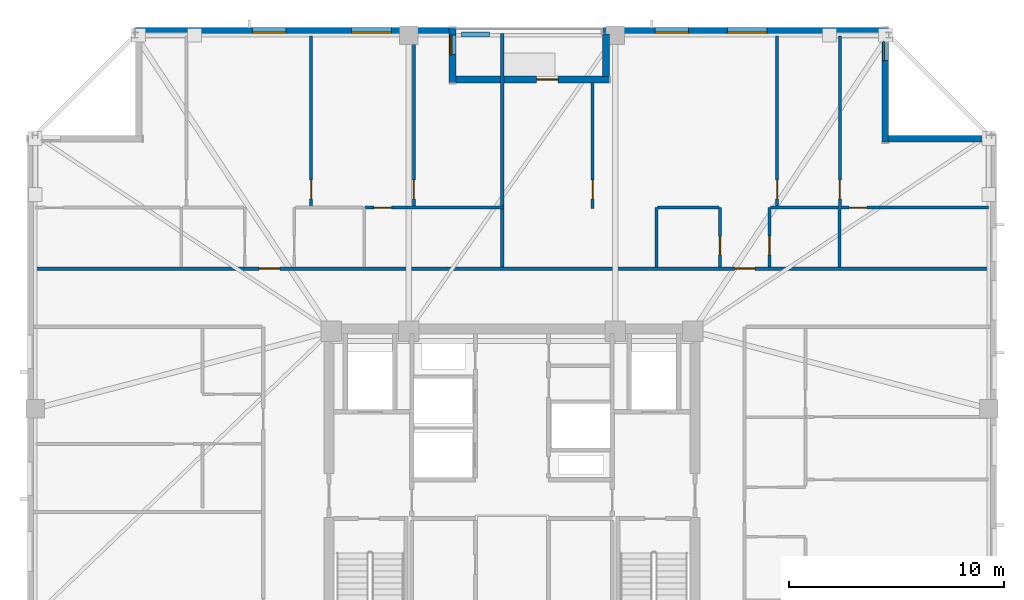
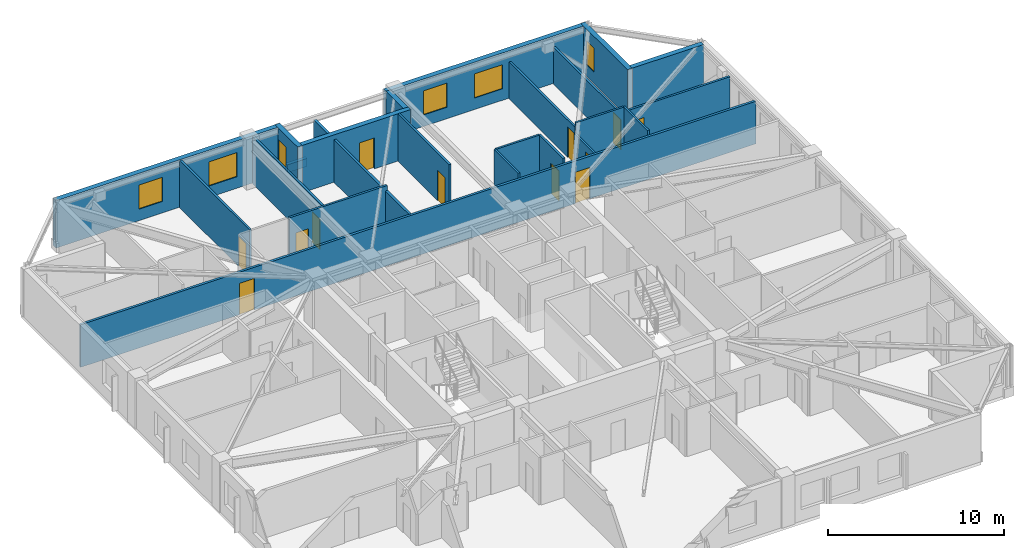
# One storey, part 11 of 17: 23 walls, 12 doors, 6 windows, 18 openings.
"""IFC4 building model written with IfcOpenShell, lengths in metres."""

from ifc_helpers import new_model, si_unit, direction, frame, frame_2d, origin, place, context, subcontext, project, spatial, rectangle, extrude, material, layer, layer_set, type_object, element, fill, save


model = new_model("IFC4")

# Units and contexts
model_context = context("Model", 3, precision=1e-05, world=origin(), true_north=direction((0.0, 1.0)))
body_context = subcontext(model_context, "Body", "Model", "MODEL_VIEW")
ifc_project = project(units=[si_unit("LENGTHUNIT", "METRE"), si_unit("AREAUNIT", "SQUARE_METRE"), si_unit("VOLUMEUNIT", "CUBIC_METRE"), si_unit("PLANEANGLEUNIT", "RADIAN"), si_unit("MASSUNIT", "GRAM", prefix="KILO")], contexts=[model_context])

# Site, building, storey
site_placement = place(None, origin())
site = spatial("IfcSite", under=ifc_project, at=site_placement, CompositionType="ELEMENT")
building_placement = place(site_placement, origin())
building = spatial("IfcBuilding", under=site, at=building_placement, Name="Cairnveth Concourse Tower", CompositionType="ELEMENT")
storey_placement = place(building_placement, frame((0.0, 0.0, 213.0)))
storey = spatial("IfcBuildingStorey", under=building, at=storey_placement, Name="L58", CompositionType="ELEMENT", Elevation=213.0)

# Wall, openings, doors
ifc_material_1 = material(Name="Gypsum Plasterboard Partition", Category="gypsum")
ifc_layer_1 = layer(ifc_material_1, 0.159912109375)
ifc_layer_set_1 = layer_set([ifc_layer_1], Name="Gypsum Plasterboard Partition")
wall_type_1 = type_object("IfcWallType", Name="ACOUSTIC PARTY WALL 180", PredefinedType="PARTITIONING", material=ifc_layer_set_1)
wall_1_placement = place(storey_placement, frame((29.804931640625, 50.31005859375, 0.0), z_axis=(0.0, 0.0, 1.0), x_axis=(1.0, 0.0, 0.0)))
wall_1 = element("IfcWall", 1, at=wall_1_placement, inside=storey, type_object=wall_type_1, Name="Interior Wall IW-L58-036", PredefinedType="PARTITIONING", context=body_context, shape_type="SweptSolid", body=[
    extrude(rectangle(XDim=44.39013671875, YDim=0.159912109375, at=frame_2d((22.195068359375, 0.0))), origin(), (0.0, 0.0, 1.0), 2.9580078125),
])
opening_1_placement = place(wall_1_placement, frame((10.447509765625, 0.0, 0.0)))
opening_1 = element("IfcOpeningElement", 2, at=opening_1_placement, cuts=wall_1, Name="Opening ID10", PredefinedType="OPENING", context=body_context, shape_type="SweptSolid", body=[
    extrude(rectangle(XDim=0.9599609375, YDim=2.179931640625, at=frame_2d((0.47998046875, 1.08984375))), frame((0.0, 0.08984375, 0.0), z_axis=(0.0, -1.0, 0.0), x_axis=(1.0, 0.0, 0.0)), (0.0, 0.0, 1.0), 0.179931640625),
])
opening_2_placement = place(wall_1_placement, frame((32.527587890625, 0.0, 0.0)))
opening_2 = element("IfcOpeningElement", 3, at=opening_2_placement, cuts=wall_1, Name="Opening ID10", PredefinedType="OPENING", context=body_context, shape_type="SweptSolid", body=[
    extrude(rectangle(XDim=0.9599609375, YDim=2.179931640625, at=frame_2d((0.47998046875, 1.08984375))), frame((0.0, 0.08984375, 0.0), z_axis=(0.0, -1.0, 0.0), x_axis=(1.0, 0.0, 0.0)), (0.0, 0.0, 1.0), 0.179931640625),
])
ifc_material_2 = material(Name="Solid Core Hardwood Timber Leaf", Category="wood")
door_type_1 = type_object("IfcDoorType", Name="FLAT ENTRANCE DOOR 960X2150", OperationType="NOTDEFINED", PredefinedType="DOOR", material=ifc_material_2)
door_1_placement = place(opening_1_placement, origin())
door_1 = element("IfcDoor", 4, at=door_1_placement, inside=storey, type_object=door_type_1, Name="Apartment L58N1 Entrance Door", OperationType="SINGLE_SWING_RIGHT", OverallHeight=2.179931640625, OverallWidth=0.9599609375, PredefinedType="DOOR", context=body_context, shape_type="SweptSolid", body=[
    extrude(rectangle(XDim=0.9599609375, YDim=2.179931640625, at=frame_2d((0.47998046875, 1.08984375))), frame((0.0, 0.02490234375, 0.0), z_axis=(0.0, -1.0, 0.0), x_axis=(1.0, 0.0, 0.0)), (0.0, 0.0, 1.0), 0.050048828125),
])
fill(opening_1, door_1)
door_2_placement = place(opening_2_placement, origin())
door_2 = element("IfcDoor", 5, at=door_2_placement, inside=storey, type_object=door_type_1, Name="Apartment L58N2 Entrance Door", OperationType="SINGLE_SWING_LEFT", OverallHeight=2.179931640625, OverallWidth=0.9599609375, PredefinedType="DOOR", context=body_context, shape_type="SweptSolid", body=[
    extrude(rectangle(XDim=0.9599609375, YDim=2.179931640625, at=frame_2d((0.47998046875, 1.08984375))), frame((0.0, 0.02490234375, 0.0), z_axis=(0.0, -1.0, 0.0), x_axis=(1.0, 0.0, 0.0)), (0.0, 0.0, 1.0), 0.050048828125),
])
fill(opening_2, door_2)

# Wall
wall_2_placement = place(storey_placement, frame((51.544921875, 50.375, 0.0), z_axis=(0.0, 0.0, 1.0), x_axis=(0.0, 1.0, 0.0)))
element("IfcWall", 6, at=wall_2_placement, inside=storey, type_object=wall_type_1, Name="Interior Wall IW-L58-078", PredefinedType="PARTITIONING", context=body_context, shape_type="SweptSolid", body=[
    extrude(rectangle(XDim=10.85498046875, YDim=0.159912109375, at=frame_2d((5.427490234375, 0.0))), origin(), (0.0, 0.0, 1.0), 2.9580078125),
])

# Wall, opening, door
ifc_layer_2 = layer(ifc_material_1, 0.139892578125)
ifc_layer_set_2 = layer_set([ifc_layer_2], Name="Gypsum Plasterboard Partition")
wall_type_2 = type_object("IfcWallType", Name="GYPSUM STUD PARTITION 140", PredefinedType="PARTITIONING", material=ifc_layer_set_2)
wall_3_placement = place(storey_placement, frame((47.445068359375, 53.10009765625, 0.0), z_axis=(0.0, 0.0, 1.0), x_axis=(0.0, 1.0, 0.0)))
wall_3 = element("IfcWall", 7, at=wall_3_placement, inside=storey, type_object=wall_type_2, Name="Interior Wall IW-L58-075", PredefinedType="PARTITIONING", context=body_context, shape_type="SweptSolid", body=[
    extrude(rectangle(XDim=8.02001953125, YDim=0.139892578125, at=frame_2d((4.010009765625, 0.0))), origin(), (0.0, 0.0, 1.0), 3.2900390625),
])
opening_3_placement = place(wall_3_placement, frame((0.449951171875, 0.0, 0.0)))
opening_3 = element("IfcOpeningElement", 8, at=opening_3_placement, cuts=wall_3, Name="Opening ID18", PredefinedType="OPENING", context=body_context, shape_type="SweptSolid", body=[
    extrude(rectangle(XDim=0.8798828125, YDim=2.10009765625, at=frame_2d((0.43994140625, 1.050048828125))), frame((0.0, 0.079833984375, 0.0), z_axis=(0.0, -1.0, 0.0), x_axis=(1.0, 0.0, 0.0)), (0.0, 0.0, 1.0), 0.159912109375),
])
door_type_2 = type_object("IfcDoorType", Name="INTERIOR SINGLE DOOR 880X2100", OperationType="NOTDEFINED", PredefinedType="DOOR", material=ifc_material_2)
door_3_placement = place(opening_3_placement, origin())
door_3 = element("IfcDoor", 9, at=door_3_placement, inside=storey, type_object=door_type_2, Name="L58N1 Bedroom 2 Door", OperationType="SINGLE_SWING_RIGHT", OverallHeight=2.10009765625, OverallWidth=0.8798828125, PredefinedType="DOOR", context=body_context, shape_type="SweptSolid", body=[
    extrude(rectangle(XDim=0.8798828125, YDim=2.10009765625, at=frame_2d((0.43994140625, 1.050048828125))), frame((0.0, 0.02490234375, 0.0), z_axis=(0.0, -1.0, 0.0), x_axis=(1.0, 0.0, 0.0)), (0.0, 0.0, 1.0), 0.050048828125),
])
fill(opening_3, door_3)

wall_4_placement = place(storey_placement, frame((45.1826171875, 53.139892578125, 0.0), z_axis=(0.0, 0.0, 1.0), x_axis=(1.0, 0.0, 0.0)))
wall_4 = element("IfcWall", 10, at=wall_4_placement, inside=storey, type_object=wall_type_2, Name="Interior Wall IW-L58-076", PredefinedType="PARTITIONING", context=body_context, shape_type="SweptSolid", body=[
    extrude(rectangle(XDim=6.412353515625, YDim=0.139892578125, at=frame_2d((3.2060546875, 0.0))), origin(), (0.0, 0.0, 1.0), 3.2900390625),
])
opening_4_placement = place(wall_4_placement, frame((0.39990234375, 0.0, 0.0)))
opening_4 = element("IfcOpeningElement", 11, at=opening_4_placement, cuts=wall_4, Name="Opening ID22", PredefinedType="OPENING", context=body_context, shape_type="SweptSolid", body=[
    extrude(rectangle(XDim=0.820068359375, YDim=2.10009765625, at=frame_2d((0.41015625, 1.050048828125))), frame((0.0, 0.079833984375, 0.0), z_axis=(0.0, -1.0, 0.0), x_axis=(1.0, 0.0, 0.0)), (0.0, 0.0, 1.0), 0.159912109375),
])
door_type_3 = type_object("IfcDoorType", Name="INTERIOR WC DOOR 820X2100", OperationType="NOTDEFINED", PredefinedType="DOOR", material=ifc_material_2)
door_4_placement = place(opening_4_placement, origin())
door_4 = element("IfcDoor", 12, at=door_4_placement, inside=storey, type_object=door_type_3, Name="L58N1 Utility Door", OperationType="SINGLE_SWING_LEFT", OverallHeight=2.10009765625, OverallWidth=0.820068359375, PredefinedType="DOOR", context=body_context, shape_type="SweptSolid", body=[
    extrude(rectangle(XDim=0.820068359375, YDim=2.10009765625, at=frame_2d((0.41015625, 1.050048828125))), frame((0.0, 0.02490234375, 0.0), z_axis=(0.0, -1.0, 0.0), x_axis=(1.0, 0.0, 0.0)), (0.0, 0.0, 1.0), 0.050048828125),
])
fill(opening_4, door_4)

wall_5_placement = place(storey_placement, frame((42.669921875, 53.18994140625, 0.0), z_axis=(0.0, 0.0, 1.0), x_axis=(0.0, 1.0, 0.0)))
wall_5 = element("IfcWall", 13, at=wall_5_placement, inside=storey, type_object=wall_type_2, Name="Interior Wall IW-L58-077", PredefinedType="PARTITIONING", context=body_context, shape_type="SweptSolid", body=[
    extrude(rectangle(XDim=7.93017578125, YDim=0.139892578125, at=frame_2d((3.965087890625, 0.0))), origin(), (0.0, 0.0, 1.0), 3.2900390625),
])
opening_5_placement = place(wall_5_placement, frame((0.360107421875, 0.0, 0.0)))
opening_5 = element("IfcOpeningElement", 14, at=opening_5_placement, cuts=wall_5, Name="Opening ID18", PredefinedType="OPENING", context=body_context, shape_type="SweptSolid", body=[
    extrude(rectangle(XDim=0.8798828125, YDim=2.10009765625, at=frame_2d((0.43994140625, 1.050048828125))), frame((0.0, 0.079833984375, 0.0), z_axis=(0.0, -1.0, 0.0), x_axis=(1.0, 0.0, 0.0)), (0.0, 0.0, 1.0), 0.159912109375),
])
door_5_placement = place(opening_5_placement, origin())
door_5 = element("IfcDoor", 15, at=door_5_placement, inside=storey, type_object=door_type_2, Name="L58N1 Media Lounge Door", OperationType="SINGLE_SWING_LEFT", OverallHeight=2.10009765625, OverallWidth=0.8798828125, PredefinedType="DOOR", context=body_context, shape_type="SweptSolid", body=[
    extrude(rectangle(XDim=0.8798828125, YDim=2.10009765625, at=frame_2d((0.43994140625, 1.050048828125))), frame((0.0, 0.02490234375, 0.0), z_axis=(0.0, -1.0, 0.0), x_axis=(1.0, 0.0, 0.0)), (0.0, 0.0, 1.0), 0.050048828125),
])
fill(opening_5, door_5)

wall_6_placement = place(storey_placement, frame((55.7451171875, 53.10009765625, 0.0), z_axis=(0.0, 0.0, 1.0), x_axis=(0.0, 1.0, 0.0)))
wall_6 = element("IfcWall", 16, at=wall_6_placement, inside=storey, type_object=wall_type_2, Name="Interior Wall IW-L58-085", PredefinedType="PARTITIONING", context=body_context, shape_type="SweptSolid", body=[
    extrude(rectangle(XDim=5.844970703125, YDim=0.139892578125, at=frame_2d((2.92236328125, 0.0))), origin(), (0.0, 0.0, 1.0), 3.2900390625),
])
opening_6_placement = place(wall_6_placement, frame((0.449951171875, 0.0, 0.0)))
opening_6 = element("IfcOpeningElement", 17, at=opening_6_placement, cuts=wall_6, Name="Opening ID18", PredefinedType="OPENING", context=body_context, shape_type="SweptSolid", body=[
    extrude(rectangle(XDim=0.8798828125, YDim=2.10009765625, at=frame_2d((0.43994140625, 1.050048828125))), frame((0.0, 0.079833984375, 0.0), z_axis=(0.0, -1.0, 0.0), x_axis=(1.0, 0.0, 0.0)), (0.0, 0.0, 1.0), 0.159912109375),
])
door_6_placement = place(opening_6_placement, origin())
door_6 = element("IfcDoor", 18, at=door_6_placement, inside=storey, type_object=door_type_2, Name="L58N2 Master Bedroom Door", OperationType="SINGLE_SWING_LEFT", OverallHeight=2.10009765625, OverallWidth=0.8798828125, PredefinedType="DOOR", context=body_context, shape_type="SweptSolid", body=[
    extrude(rectangle(XDim=0.8798828125, YDim=2.10009765625, at=frame_2d((0.43994140625, 1.050048828125))), frame((0.0, 0.02490234375, 0.0), z_axis=(0.0, -1.0, 0.0), x_axis=(1.0, 0.0, 0.0)), (0.0, 0.0, 1.0), 0.050048828125),
])
fill(opening_6, door_6)

wall_7_placement = place(storey_placement, frame((67.22998046875, 53.18994140625, 0.0), z_axis=(0.0, 0.0, 1.0), x_axis=(0.0, 1.0, 0.0)))
wall_7 = element("IfcWall", 19, at=wall_7_placement, inside=storey, type_object=wall_type_2, Name="Interior Wall IW-L58-086", PredefinedType="PARTITIONING", context=body_context, shape_type="SweptSolid", body=[
    extrude(rectangle(XDim=7.93017578125, YDim=0.139892578125, at=frame_2d((3.965087890625, 0.0))), origin(), (0.0, 0.0, 1.0), 2.572998046875),
])
opening_7_placement = place(wall_7_placement, frame((0.360107421875, 0.0, 0.0)))
opening_7 = element("IfcOpeningElement", 20, at=opening_7_placement, cuts=wall_7, Name="Opening ID18", PredefinedType="OPENING", context=body_context, shape_type="SweptSolid", body=[
    extrude(rectangle(XDim=0.8798828125, YDim=2.10009765625, at=frame_2d((0.43994140625, 1.050048828125))), frame((0.0, 0.079833984375, 0.0), z_axis=(0.0, -1.0, 0.0), x_axis=(1.0, 0.0, 0.0)), (0.0, 0.0, 1.0), 0.159912109375),
])
door_7_placement = place(opening_7_placement, origin())
door_7 = element("IfcDoor", 21, at=door_7_placement, inside=storey, type_object=door_type_2, Name="L58N2 Bedroom 2 Door", OperationType="SINGLE_SWING_LEFT", OverallHeight=2.10009765625, OverallWidth=0.8798828125, PredefinedType="DOOR", context=body_context, shape_type="SweptSolid", body=[
    extrude(rectangle(XDim=0.8798828125, YDim=2.10009765625, at=frame_2d((0.43994140625, 1.050048828125))), frame((0.0, 0.02490234375, 0.0), z_axis=(0.0, -1.0, 0.0), x_axis=(1.0, 0.0, 0.0)), (0.0, 0.0, 1.0), 0.050048828125),
])
fill(opening_7, door_7)

wall_8_placement = place(storey_placement, frame((67.284912109375, 53.139892578125, 0.0), z_axis=(0.0, 0.0, 1.0), x_axis=(1.0, 0.0, 0.0)))
wall_8 = element("IfcWall", 22, at=wall_8_placement, inside=storey, type_object=wall_type_2, Name="Interior Wall IW-L58-087", PredefinedType="PARTITIONING", context=body_context, shape_type="SweptSolid", body=[
    extrude(rectangle(XDim=6.844970703125, YDim=0.139892578125, at=frame_2d((3.42236328125, 0.0))), origin(), (0.0, 0.0, 1.0), 2.9580078125),
])
opening_8_placement = place(wall_8_placement, frame((0.37744140625, 0.0, 0.0)))
opening_8 = element("IfcOpeningElement", 23, at=opening_8_placement, cuts=wall_8, Name="Opening ID22", PredefinedType="OPENING", context=body_context, shape_type="SweptSolid", body=[
    extrude(rectangle(XDim=0.820068359375, YDim=2.10009765625, at=frame_2d((0.41015625, 1.050048828125))), frame((0.0, 0.079833984375, 0.0), z_axis=(0.0, -1.0, 0.0), x_axis=(1.0, 0.0, 0.0)), (0.0, 0.0, 1.0), 0.159912109375),
])
door_8_placement = place(opening_8_placement, origin())
door_8 = element("IfcDoor", 24, at=door_8_placement, inside=storey, type_object=door_type_3, Name="L58N2 Utility Door", OperationType="SINGLE_SWING_RIGHT", OverallHeight=2.10009765625, OverallWidth=0.820068359375, PredefinedType="DOOR", context=body_context, shape_type="SweptSolid", body=[
    extrude(rectangle(XDim=0.820068359375, YDim=2.10009765625, at=frame_2d((0.41015625, 1.050048828125))), frame((0.0, 0.02490234375, 0.0), z_axis=(0.0, -1.0, 0.0), x_axis=(1.0, 0.0, 0.0)), (0.0, 0.0, 1.0), 0.050048828125),
])
fill(opening_8, door_8)

wall_9_placement = place(storey_placement, frame((64.3125, 53.18994140625, 0.0), z_axis=(0.0, 0.0, 1.0), x_axis=(0.0, 1.0, 0.0)))
wall_9 = element("IfcWall", 25, at=wall_9_placement, inside=storey, type_object=wall_type_2, Name="Interior Wall IW-L58-088", PredefinedType="PARTITIONING", context=body_context, shape_type="SweptSolid", body=[
    extrude(rectangle(XDim=7.93017578125, YDim=0.139892578125, at=frame_2d((3.965087890625, 0.0))), origin(), (0.0, 0.0, 1.0), 2.572998046875),
])
opening_9_placement = place(wall_9_placement, frame((0.360107421875, 0.0, 0.0)))
opening_9 = element("IfcOpeningElement", 26, at=opening_9_placement, cuts=wall_9, Name="Opening ID18", PredefinedType="OPENING", context=body_context, shape_type="SweptSolid", body=[
    extrude(rectangle(XDim=0.8798828125, YDim=2.10009765625, at=frame_2d((0.43994140625, 1.050048828125))), frame((0.0, 0.079833984375, 0.0), z_axis=(0.0, -1.0, 0.0), x_axis=(1.0, 0.0, 0.0)), (0.0, 0.0, 1.0), 0.159912109375),
])
door_9_placement = place(opening_9_placement, origin())
door_9 = element("IfcDoor", 27, at=door_9_placement, inside=storey, type_object=door_type_2, Name="L58N2 Media Lounge Door", OperationType="SINGLE_SWING_RIGHT", OverallHeight=2.10009765625, OverallWidth=0.8798828125, PredefinedType="DOOR", context=body_context, shape_type="SweptSolid", body=[
    extrude(rectangle(XDim=0.8798828125, YDim=2.10009765625, at=frame_2d((0.43994140625, 1.050048828125))), frame((0.0, 0.02490234375, 0.0), z_axis=(0.0, -1.0, 0.0), x_axis=(1.0, 0.0, 0.0)), (0.0, 0.0, 1.0), 0.050048828125),
])
fill(opening_9, door_9)

# Walls
ifc_material_3 = material(Name="Dressed Melbourne Bluestone Cladding", Category="masonry")
ifc_layer_3 = layer(ifc_material_3, 0.219970703125)
ifc_layer_set_3 = layer_set([ifc_layer_3], Name="Dressed Melbourne Bluestone Cladding")
wall_type_3 = type_object("IfcWallType", Name="TERRACE PLANTER CURB WALL 220", PredefinedType="PARAPET", material=ifc_layer_set_3)
wall_10_placement = place(storey_placement, frame((49.64990234375, 61.179931640625, 0.0), z_axis=(0.0, 0.0, 1.0), x_axis=(1.0, 0.0, 0.0)))
element("IfcWall", 28, at=wall_10_placement, inside=storey, type_object=wall_type_3, Name="Exterior Wall PLNT-L58-TERR", PredefinedType="PARAPET", context=body_context, shape_type="SweptSolid", body=[
    extrude(rectangle(XDim=1.300048828125, YDim=0.219970703125, at=frame_2d((0.64990234375, 0.0))), origin(), (0.0, 0.0, 1.0), 0.550048828125),
])
ifc_layer_4 = layer(ifc_material_1, 0.1298828125)
ifc_layer_set_4 = layer_set([ifc_layer_4], Name="Gypsum Plasterboard Partition")
wall_type_4 = type_object("IfcWallType", Name="WET AREA PARTITION 140", PredefinedType="PLUMBINGWALL", material=ifc_layer_set_4)
wall_11_placement = place(storey_placement, frame((58.71240234375, 50.389892578125, 0.0), z_axis=(0.0, 0.0, 1.0), x_axis=(0.0, 1.0, 0.0)))
element("IfcWall", 29, at=wall_11_placement, inside=storey, type_object=wall_type_4, Name="Interior Wall IW-L58-079", PredefinedType="PLUMBINGWALL", context=body_context, shape_type="SweptSolid", body=[
    extrude(rectangle(XDim=2.75, YDim=0.1298828125, at=frame_2d((1.375, 0.0))), origin(), (0.0, 0.0, 1.0), 3.2900390625),
])

# Wall, opening, door
wall_12_placement = place(storey_placement, frame((61.66259765625, 50.389892578125, 0.0), z_axis=(0.0, 0.0, 1.0), x_axis=(0.0, 1.0, 0.0)))
wall_12 = element("IfcWall", 30, at=wall_12_placement, inside=storey, type_object=wall_type_4, Name="Interior Wall IW-L58-080", PredefinedType="PLUMBINGWALL", context=body_context, shape_type="SweptSolid", body=[
    extrude(rectangle(XDim=2.75, YDim=0.1298828125, at=frame_2d((1.375, 0.0))), origin(), (0.0, 0.0, 1.0), 3.2900390625),
])
opening_10_placement = place(wall_12_placement, frame((0.550048828125, 0.0, 0.0)))
opening_10 = element("IfcOpeningElement", 31, at=opening_10_placement, cuts=wall_12, Name="Opening ID21", PredefinedType="OPENING", context=body_context, shape_type="SweptSolid", body=[
    extrude(rectangle(XDim=0.85009765625, YDim=2.080078125, at=frame_2d((0.425048828125, 1.0400390625))), frame((0.0, 0.074951171875, 0.0), z_axis=(0.0, -1.0, 0.0), x_axis=(1.0, 0.0, 0.0)), (0.0, 0.0, 1.0), 0.14990234375),
])
door_type_4 = type_object("IfcDoorType", Name="INTERIOR WC DOOR 850X2100", OperationType="NOTDEFINED", PredefinedType="DOOR", material=ifc_material_2)
door_10_placement = place(opening_10_placement, origin())
door_10 = element("IfcDoor", 32, at=door_10_placement, inside=storey, type_object=door_type_4, Name="L58N2 Bathroom Door", OperationType="SINGLE_SWING_LEFT", OverallHeight=2.080078125, OverallWidth=0.85009765625, PredefinedType="DOOR", context=body_context, shape_type="SweptSolid", body=[
    extrude(rectangle(XDim=0.85009765625, YDim=2.080078125, at=frame_2d((0.425048828125, 1.0400390625))), frame((0.0, 0.02490234375, 0.0), z_axis=(0.0, -1.0, 0.0), x_axis=(1.0, 0.0, 0.0)), (0.0, 0.0, 1.0), 0.050048828125),
])
fill(opening_10, door_10)

# Walls
wall_13_placement = place(storey_placement, frame((58.762451171875, 53.139892578125, 0.0), z_axis=(0.0, 0.0, 1.0), x_axis=(1.0, 0.0, 0.0)))
element("IfcWall", 33, at=wall_13_placement, inside=storey, type_object=wall_type_4, Name="Interior Wall IW-L58-081", PredefinedType="PLUMBINGWALL", context=body_context, shape_type="SweptSolid", body=[
    extrude(rectangle(XDim=2.85009765625, YDim=0.1298828125, at=frame_2d((1.425048828125, 0.0))), origin(), (0.0, 0.0, 1.0), 3.2900390625),
])
wall_14_placement = place(storey_placement, frame((67.21240234375, 50.389892578125, 0.0), z_axis=(0.0, 0.0, 1.0), x_axis=(0.0, 1.0, 0.0)))
element("IfcWall", 34, at=wall_14_placement, inside=storey, type_object=wall_type_4, Name="Interior Wall IW-L58-082", PredefinedType="PLUMBINGWALL", context=body_context, shape_type="SweptSolid", body=[
    extrude(rectangle(XDim=2.75, YDim=0.1298828125, at=frame_2d((1.375, 0.0))), origin(), (0.0, 0.0, 1.0), 3.2900390625),
])

# Wall, opening, door
wall_15_placement = place(storey_placement, frame((63.96240234375, 50.389892578125, 0.0), z_axis=(0.0, 0.0, 1.0), x_axis=(0.0, 1.0, 0.0)))
wall_15 = element("IfcWall", 35, at=wall_15_placement, inside=storey, type_object=wall_type_4, Name="Interior Wall IW-L58-083", PredefinedType="PLUMBINGWALL", context=body_context, shape_type="SweptSolid", body=[
    extrude(rectangle(XDim=2.75, YDim=0.1298828125, at=frame_2d((1.375, 0.0))), origin(), (0.0, 0.0, 1.0), 2.572998046875),
])
opening_11_placement = place(wall_15_placement, frame((0.550048828125, 0.0, 0.0)))
opening_11 = element("IfcOpeningElement", 36, at=opening_11_placement, cuts=wall_15, Name="Opening ID18", PredefinedType="OPENING", context=body_context, shape_type="SweptSolid", body=[
    extrude(rectangle(XDim=0.8798828125, YDim=2.10009765625, at=frame_2d((0.43994140625, 1.050048828125))), frame((0.0, 0.074951171875, 0.0), z_axis=(0.0, -1.0, 0.0), x_axis=(1.0, 0.0, 0.0)), (0.0, 0.0, 1.0), 0.14990234375),
])
door_11_placement = place(opening_11_placement, origin())
door_11 = element("IfcDoor", 37, at=door_11_placement, inside=storey, type_object=door_type_2, Name="L58N2 Kitchen Door", OperationType="SINGLE_SWING_RIGHT", OverallHeight=2.10009765625, OverallWidth=0.8798828125, PredefinedType="DOOR", context=body_context, shape_type="SweptSolid", body=[
    extrude(rectangle(XDim=0.8798828125, YDim=2.10009765625, at=frame_2d((0.43994140625, 1.050048828125))), frame((0.0, 0.02490234375, 0.0), z_axis=(0.0, -1.0, 0.0), x_axis=(1.0, 0.0, 0.0)), (0.0, 0.0, 1.0), 0.050048828125),
])
fill(opening_11, door_11)

# Wall
wall_16_placement = place(storey_placement, frame((64.012451171875, 53.139892578125, 0.0), z_axis=(0.0, 0.0, 1.0), x_axis=(1.0, 0.0, 0.0)))
element("IfcWall", 38, at=wall_16_placement, inside=storey, type_object=wall_type_4, Name="Interior Wall IW-L58-084", PredefinedType="PLUMBINGWALL", context=body_context, shape_type="SweptSolid", body=[
    extrude(rectangle(XDim=3.150146484375, YDim=0.1298828125, at=frame_2d((1.5751953125, 0.0))), origin(), (0.0, 0.0, 1.0), 3.2900390625),
])

# Wall, openings, windows
ifc_material_4 = material(Name="Melbourne Buff Fired Clay Brick Masonry", Category="masonry")
ifc_layer_5 = layer(ifc_material_4, 0.320068359375)
ifc_layer_set_5 = layer_set([ifc_layer_5], Name="Melbourne Buff Fired Clay Brick Masonry")
wall_type_5 = type_object("IfcWallType", Name="ZONE 3 BRICK PIER SPANDREL WALL 320", PredefinedType="SOLIDWALL", material=ifc_layer_set_5)
wall_17_placement = place(storey_placement, frame((56.199951171875, 61.340087890625, 0.0), z_axis=(0.0, 0.0, 1.0), x_axis=(1.0, 0.0, 0.0)))
wall_17 = element("IfcWall", 39, at=wall_17_placement, inside=storey, type_object=wall_type_5, Name="Exterior Wall EW-L58-S00", PredefinedType="SOLIDWALL", context=body_context, shape_type="SweptSolid", body=[
    extrude(rectangle(XDim=13.001953125, YDim=0.320068359375, at=frame_2d((6.5009765625, 0.0))), origin(), (0.0, 0.0, 1.0), 3.2900390625),
])
opening_12_placement = place(wall_17_placement, frame((2.450439453125, 0.0, 0.800048828125)))
opening_12 = element("IfcOpeningElement", 40, at=opening_12_placement, cuts=wall_17, Name="Opening W07", PredefinedType="OPENING", context=body_context, shape_type="SweptSolid", body=[
    extrude(rectangle(XDim=1.550048828125, YDim=1.677978515625, at=frame_2d((0.77490234375, 0.8388671875))), frame((0.0, 0.169921875, 0.0), z_axis=(0.0, -1.0, 0.0), x_axis=(1.0, 0.0, 0.0)), (0.0, 0.0, 1.0), 0.340087890625),
])
opening_13_placement = place(wall_17_placement, frame((5.801513671875, 0.0, 0.800048828125)))
opening_13 = element("IfcOpeningElement", 41, at=opening_13_placement, cuts=wall_17, Name="Opening W08", PredefinedType="OPENING", context=body_context, shape_type="SweptSolid", body=[
    extrude(rectangle(XDim=1.85009765625, YDim=1.677978515625, at=frame_2d((0.925048828125, 0.8388671875))), frame((0.0, 0.169921875, 0.0), z_axis=(0.0, -1.0, 0.0), x_axis=(1.0, 0.0, 0.0)), (0.0, 0.0, 1.0), 0.340087890625),
])
ifc_material_5 = material(Name="Double Glazed Low-E Clear Glass", Category="glass")
window_type_1 = type_object("IfcWindowType", Name="DEEP-SET APARTMENT LIVING WINDOW 1850X1850", PartitioningType="DOUBLE_PANEL_VERTICAL", PredefinedType="WINDOW", material=ifc_material_5)
window_1_placement = place(opening_13_placement, origin())
window_1 = element("IfcWindow", 42, at=window_1_placement, inside=storey, type_object=window_type_1, Name="Gothic Lancet Window L58-0-2", OverallHeight=1.677978515625, OverallWidth=1.85009765625, PartitioningType="SINGLE_PANEL", PredefinedType="WINDOW", context=body_context, shape_type="SweptSolid", body=[
    extrude(rectangle(XDim=1.85009765625, YDim=1.677978515625, at=frame_2d((0.925048828125, 0.8388671875))), frame((0.0, -0.050048828125, 0.0), z_axis=(0.0, -1.0, 0.0), x_axis=(1.0, 0.0, 0.0)), (0.0, 0.0, 1.0), 0.06005859375),
])
fill(opening_13, window_1)
window_type_2 = type_object("IfcWindowType", Name="DEEP-SET APARTMENT WINDOW 1550X1800", PartitioningType="DOUBLE_PANEL_VERTICAL", PredefinedType="WINDOW", material=ifc_material_5)
window_2_placement = place(opening_12_placement, origin())
window_2 = element("IfcWindow", 43, at=window_2_placement, inside=storey, type_object=window_type_2, Name="Gothic Lancet Window L58-0-1", OverallHeight=1.677978515625, OverallWidth=1.550048828125, PartitioningType="SINGLE_PANEL", PredefinedType="WINDOW", context=body_context, shape_type="SweptSolid", body=[
    extrude(rectangle(XDim=1.550048828125, YDim=1.677978515625, at=frame_2d((0.77490234375, 0.8388671875))), frame((0.0, -0.050048828125, 0.0), z_axis=(0.0, -1.0, 0.0), x_axis=(1.0, 0.0, 0.0)), (0.0, 0.0, 1.0), 0.06005859375),
])
fill(opening_12, window_2)

# Wall, opening, window
wall_18_placement = place(storey_placement, frame((69.340087890625, 61.5, 0.0), z_axis=(0.0, 0.0, 1.0), x_axis=(0.0, -1.0, 0.0)))
wall_18 = element("IfcWall", 44, at=wall_18_placement, inside=storey, type_object=wall_type_5, Name="Exterior Wall EW-L58-S01", PredefinedType="SOLIDWALL", context=body_context, shape_type="SweptSolid", body=[
    extrude(rectangle(XDim=5.320068359375, YDim=0.320068359375, at=frame_2d((2.66015625, 0.0))), origin(), (0.0, 0.0, 1.0), 3.2900390625),
])
opening_14_placement = place(wall_18_placement, frame((0.6298828125, 0.0, 0.800048828125)))
opening_14 = element("IfcOpeningElement", 45, at=opening_14_placement, cuts=wall_18, Name="Opening W13", PredefinedType="OPENING", context=body_context, shape_type="SweptSolid", body=[
    extrude(rectangle(XDim=0.89990234375, YDim=1.677978515625, at=frame_2d((0.449951171875, 0.8388671875))), frame((0.0, 0.169921875, 0.0), z_axis=(0.0, -1.0, 0.0), x_axis=(1.0, 0.0, 0.0)), (0.0, 0.0, 1.0), 0.340087890625),
])
window_type_3 = type_object("IfcWindowType", Name="DEEP-SET BEDROOM LANCET WINDOW 900X1750", PartitioningType="DOUBLE_PANEL_VERTICAL", PredefinedType="WINDOW", material=ifc_material_5)
window_3_placement = place(opening_14_placement, origin())
window_3 = element("IfcWindow", 46, at=window_3_placement, inside=storey, type_object=window_type_3, Name="Dwelling Lancet Window L58-DW5", OverallHeight=1.677978515625, OverallWidth=0.89990234375, PartitioningType="SINGLE_PANEL", PredefinedType="WINDOW", context=body_context, shape_type="SweptSolid", body=[
    extrude(rectangle(XDim=0.89990234375, YDim=1.677978515625, at=frame_2d((0.449951171875, 0.8388671875))), frame((0.0, -0.0400390625, 0.0), z_axis=(0.0, -1.0, 0.0), x_axis=(1.0, 0.0, 0.0)), (0.0, 0.0, 1.0), 0.06005859375),
])
fill(opening_14, window_3)

# Wall
wall_19_placement = place(storey_placement, frame((69.47802734375, 56.340087890625, 0.0), z_axis=(0.0, 0.0, 1.0), x_axis=(1.0, 0.0, 0.0)))
element("IfcWall", 47, at=wall_19_placement, inside=storey, type_object=wall_type_5, Name="Exterior Wall EW-L58-S02", PredefinedType="SOLIDWALL", context=body_context, shape_type="SweptSolid", body=[
    extrude(rectangle(XDim=4.723876953125, YDim=0.320068359375, at=frame_2d((2.36181640625, 0.0))), origin(), (0.0, 0.0, 1.0), 3.2900390625),
])

# Wall, openings, windows
wall_20_placement = place(storey_placement, frame((34.5, 61.340087890625, 0.0), z_axis=(0.0, 0.0, 1.0), x_axis=(1.0, 0.0, 0.0)))
wall_20 = element("IfcWall", 48, at=wall_20_placement, inside=storey, type_object=wall_type_5, Name="Exterior Wall EW-L58-S12", PredefinedType="SOLIDWALL", context=body_context, shape_type="SweptSolid", body=[
    extrude(rectangle(XDim=14.60205078125, YDim=0.320068359375, at=frame_2d((7.301025390625, 0.0))), origin(), (0.0, 0.0, 1.0), 3.2900390625),
])
opening_15_placement = place(wall_20_placement, frame((5.450439453125, 0.0, 0.800048828125)))
opening_15 = element("IfcOpeningElement", 49, at=opening_15_placement, cuts=wall_20, Name="Opening W07", PredefinedType="OPENING", context=body_context, shape_type="SweptSolid", body=[
    extrude(rectangle(XDim=1.550048828125, YDim=1.677978515625, at=frame_2d((0.77490234375, 0.8388671875))), frame((0.0, 0.169921875, 0.0), z_axis=(0.0, -1.0, 0.0), x_axis=(1.0, 0.0, 0.0)), (0.0, 0.0, 1.0), 0.340087890625),
])
opening_16_placement = place(wall_20_placement, frame((10.051513671875, 0.0, 0.800048828125)))
opening_16 = element("IfcOpeningElement", 50, at=opening_16_placement, cuts=wall_20, Name="Opening W08", PredefinedType="OPENING", context=body_context, shape_type="SweptSolid", body=[
    extrude(rectangle(XDim=1.85009765625, YDim=1.677978515625, at=frame_2d((0.925048828125, 0.8388671875))), frame((0.0, 0.169921875, 0.0), z_axis=(0.0, -1.0, 0.0), x_axis=(1.0, 0.0, 0.0)), (0.0, 0.0, 1.0), 0.340087890625),
])
window_4_placement = place(opening_16_placement, origin())
window_4 = element("IfcWindow", 51, at=window_4_placement, inside=storey, type_object=window_type_1, Name="Gothic Lancet Window L58-12-2", OverallHeight=1.677978515625, OverallWidth=1.85009765625, PartitioningType="SINGLE_PANEL", PredefinedType="WINDOW", context=body_context, shape_type="SweptSolid", body=[
    extrude(rectangle(XDim=1.85009765625, YDim=1.677978515625, at=frame_2d((0.925048828125, 0.8388671875))), frame((0.0, -0.050048828125, 0.0), z_axis=(0.0, -1.0, 0.0), x_axis=(1.0, 0.0, 0.0)), (0.0, 0.0, 1.0), 0.06005859375),
])
fill(opening_16, window_4)
window_5_placement = place(opening_15_placement, origin())
window_5 = element("IfcWindow", 52, at=window_5_placement, inside=storey, type_object=window_type_2, Name="Gothic Lancet Window L58-12-1", OverallHeight=1.677978515625, OverallWidth=1.550048828125, PartitioningType="SINGLE_PANEL", PredefinedType="WINDOW", context=body_context, shape_type="SweptSolid", body=[
    extrude(rectangle(XDim=1.550048828125, YDim=1.677978515625, at=frame_2d((0.77490234375, 0.8388671875))), frame((0.0, -0.050048828125, 0.0), z_axis=(0.0, -1.0, 0.0), x_axis=(1.0, 0.0, 0.0)), (0.0, 0.0, 1.0), 0.06005859375),
])
fill(opening_15, window_5)

# Wall, opening, window
wall_21_placement = place(storey_placement, frame((49.239990234375, 61.5, 0.0), z_axis=(0.0, 0.0, 1.0), x_axis=(0.0, -1.0, 0.0)))
wall_21 = element("IfcWall", 53, at=wall_21_placement, inside=storey, type_object=wall_type_5, Name="Exterior Wall EW-L58-S13", PredefinedType="SOLIDWALL", context=body_context, shape_type="SweptSolid", body=[
    extrude(rectangle(XDim=2.570068359375, YDim=0.320068359375, at=frame_2d((1.28515625, 0.0))), origin(), (0.0, 0.0, 1.0), 3.2900390625),
])
opening_17_placement = place(wall_21_placement, frame((0.35009765625, 0.0, 0.800048828125)))
opening_17 = element("IfcOpeningElement", 54, at=opening_17_placement, cuts=wall_21, Name="Opening W13", PredefinedType="OPENING", context=body_context, shape_type="SweptSolid", body=[
    extrude(rectangle(XDim=0.89990234375, YDim=1.677978515625, at=frame_2d((0.449951171875, 0.8388671875))), frame((0.0, 0.169921875, 0.0), z_axis=(0.0, -1.0, 0.0), x_axis=(1.0, 0.0, 0.0)), (0.0, 0.0, 1.0), 0.340087890625),
])
window_6_placement = place(opening_17_placement, origin())
window_6 = element("IfcWindow", 55, at=window_6_placement, inside=storey, type_object=window_type_3, Name="Dwelling Lancet Window L58-DW4", OverallHeight=1.677978515625, OverallWidth=0.89990234375, PartitioningType="SINGLE_PANEL", PredefinedType="WINDOW", context=body_context, shape_type="SweptSolid", body=[
    extrude(rectangle(XDim=0.89990234375, YDim=1.677978515625, at=frame_2d((0.449951171875, 0.8388671875))), frame((0.0, -0.0400390625, 0.0), z_axis=(0.0, -1.0, 0.0), x_axis=(1.0, 0.0, 0.0)), (0.0, 0.0, 1.0), 0.06005859375),
])
fill(opening_17, window_6)

# Wall, opening, door
wall_22_placement = place(storey_placement, frame((49.3779296875, 59.090087890625, 0.0), z_axis=(0.0, 0.0, 1.0), x_axis=(1.0, 0.0, 0.0)))
wall_22 = element("IfcWall", 56, at=wall_22_placement, inside=storey, type_object=wall_type_5, Name="Exterior Wall EW-L58-S14", PredefinedType="SOLIDWALL", context=body_context, shape_type="SweptSolid", body=[
    extrude(rectangle(XDim=7.14208984375, YDim=0.320068359375, at=frame_2d((3.571044921875, 0.0))), origin(), (0.0, 0.0, 1.0), 3.2900390625),
])
opening_18_placement = place(wall_22_placement, frame((3.76708984375, 0.0, 0.0)))
opening_18 = element("IfcOpeningElement", 57, at=opening_18_placement, cuts=wall_22, Name="Opening ED4", PredefinedType="OPENING", context=body_context, shape_type="SweptSolid", body=[
    extrude(rectangle(XDim=1.0, YDim=2.14990234375, at=frame_2d((0.5, 1.074951171875))), frame((0.0, 0.169921875, 0.0), z_axis=(0.0, -1.0, 0.0), x_axis=(1.0, 0.0, 0.0)), (0.0, 0.0, 1.0), 0.340087890625),
])
ifc_material_6 = material(Name="Architectural Bronze Anodised Aluminium 6063-T6", Category="aluminium")
door_type_5 = type_object("IfcDoorType", Name="TERRACE GLAZED DOOR 1000X2150", OperationType="NOTDEFINED", PredefinedType="DOOR", material=ifc_material_6)
door_12_placement = place(opening_18_placement, origin())
door_12 = element("IfcDoor", 58, at=door_12_placement, inside=storey, type_object=door_type_5, Name="Spiral Terrace Door L58", OperationType="SINGLE_SWING_LEFT", OverallHeight=2.14990234375, OverallWidth=1.0, PredefinedType="DOOR", context=body_context, shape_type="SweptSolid", body=[
    extrude(rectangle(XDim=1.0, YDim=2.14990234375, at=frame_2d((0.5, 1.074951171875))), frame((0.0, 0.02490234375, 0.0), z_axis=(0.0, -1.0, 0.0), x_axis=(1.0, 0.0, 0.0)), (0.0, 0.0, 1.0), 0.050048828125),
])
fill(opening_18, door_12)

# Wall
wall_23_placement = place(storey_placement, frame((56.360107421875, 59.22802734375, 0.0), z_axis=(0.0, 0.0, 1.0), x_axis=(0.0, 1.0, 0.0)))
element("IfcWall", 59, at=wall_23_placement, inside=storey, type_object=wall_type_5, Name="Exterior Wall EW-L58-S15", PredefinedType="SOLIDWALL", context=body_context, shape_type="SweptSolid", body=[
    extrude(rectangle(XDim=1.973876953125, YDim=0.320068359375, at=frame_2d((0.98681640625, 0.0))), origin(), (0.0, 0.0, 1.0), 3.2900390625),
])

save(model, "model.ifc")
